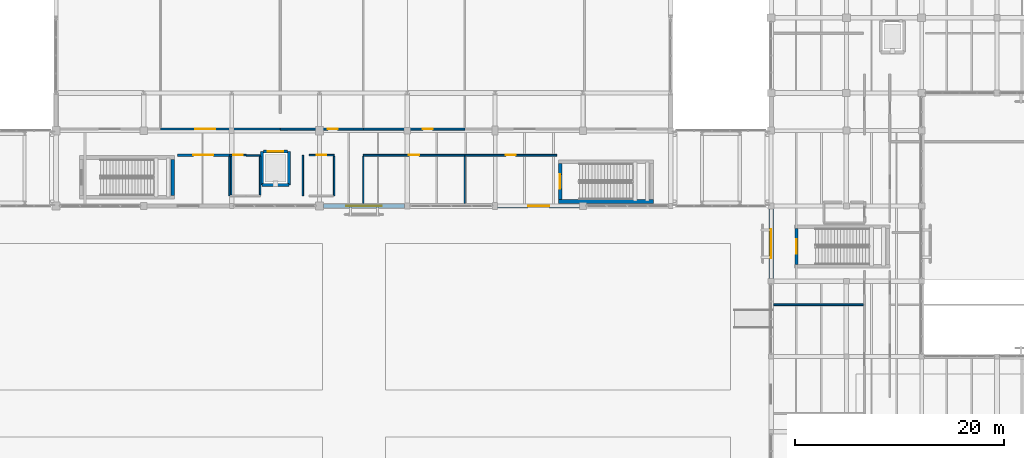
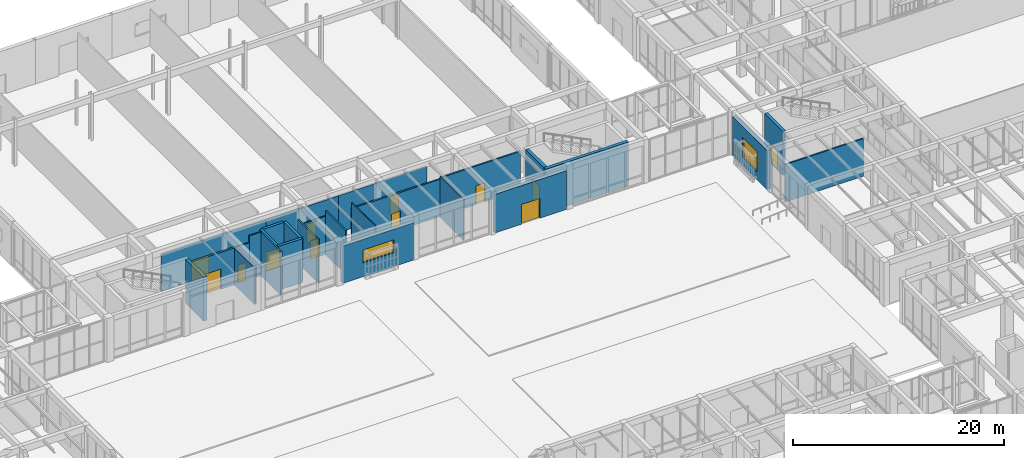
# One storey, part 127 of 169: 28 walls, 12 doors, 2 windows, 14 openings.
"""IFC4 building model written with IfcOpenShell, lengths in metres."""

from ifc_helpers import new_model, si_unit, direction, frame, frame_2d, origin, place, context, subcontext, project, spatial, rectangle, extrude, material, layer, layer_set, type_object, element, fill, save


model = new_model("IFC4")

# Units and contexts
model_context = context("Model", 3, precision=1e-05, world=origin(), true_north=direction((0.0, 1.0)))
body_context = subcontext(model_context, "Body", "Model", "MODEL_VIEW")
ifc_project = project(units=[si_unit("LENGTHUNIT", "METRE"), si_unit("AREAUNIT", "SQUARE_METRE"), si_unit("VOLUMEUNIT", "CUBIC_METRE"), si_unit("PLANEANGLEUNIT", "RADIAN"), si_unit("MASSUNIT", "GRAM", prefix="KILO")], contexts=[model_context])

# Site, building, storey
site_placement = place(None, origin())
site = spatial("IfcSite", under=ifc_project, at=site_placement, CompositionType="ELEMENT")
building_placement = place(site_placement, origin())
building = spatial("IfcBuilding", under=site, at=building_placement, Name="Mazaris Harbour Polytechnic", CompositionType="ELEMENT")
storey_placement = place(building_placement, origin())
storey = spatial("IfcBuildingStorey", under=building, at=storey_placement, Name="L00", CompositionType="ELEMENT", Elevation=0.0)

# Walls
ifc_material_1 = material(Name="Gypsum Board and Mineral Wool")
ifc_layer_1 = layer(ifc_material_1, 0.1201171875, Name="Gypsum Board and Mineral Wool")
ifc_layer_set_1 = layer_set([ifc_layer_1], Name="Gypsum Board and Mineral Wool")
wall_type_1 = type_object("IfcWallType", Name="Acoustic Stud Partition 120", PredefinedType="PARTITIONING", material=ifc_layer_set_1)
wall_1_placement = place(storey_placement, frame((83.39990234375, 75.85009765625, 0.0), z_axis=(0.0, 0.0, 1.0), x_axis=(0.0, 1.0, 0.0)))
element("IfcWall", 1, at=wall_1_placement, inside=storey, type_object=wall_type_1, Name="V1 L00 Partition 29", PredefinedType="PARTITIONING", context=body_context, shape_type="SweptSolid", body=[
    extrude(rectangle(XDim=4.47998046875, YDim=0.1201171875, at=frame_2d((2.239990234375, 0.0))), origin(), (0.0, 0.0, 1.0), 5.080078125),
])
ifc_material_2 = material(Name="Double Gypsum and Mineral Wool")
ifc_layer_2 = layer(ifc_material_2, 0.14990234375, Name="Double Gypsum and Mineral Wool")
ifc_layer_set_2 = layer_set([ifc_layer_2], Name="Double Gypsum and Mineral Wool")
wall_type_2 = type_object("IfcWallType", Name="Classroom Acoustic Partition 150", PredefinedType="PARTITIONING", material=ifc_layer_set_2)
wall_2_placement = place(storey_placement, frame((70.760009765625, 76.632568359375, 0.0), z_axis=(0.0, 0.0, 1.0), x_axis=(0.0, 1.0, 0.0)))
element("IfcWall", 2, at=wall_2_placement, inside=storey, type_object=wall_type_2, Name="V1 L00 Partition 27", PredefinedType="PARTITIONING", context=body_context, shape_type="SweptSolid", body=[
    extrude(rectangle(XDim=3.697509765625, YDim=0.14990234375, at=frame_2d((1.8486328125, 0.0))), origin(), (0.0, 0.0, 1.0), 4.280029296875),
])

# Wall, opening, door
ifc_material_3 = material(Name="Terracotta Block and Plaster", Category="masonry")
ifc_layer_3 = layer(ifc_material_3, 0.179931640625, Name="Terracotta Block and Plaster")
ifc_layer_set_3 = layer_set([ifc_layer_3], Name="Terracotta Block and Plaster")
wall_type_3 = type_object("IfcWallType", Name="Corridor Fire Partition 180", PredefinedType="PARTITIONING", material=ifc_layer_set_3)
wall_3_placement = place(storey_placement, frame((83.39990234375, 80.449951171875, 0.0), z_axis=(0.0, 0.0, 1.0), x_axis=(1.0, 0.0, 0.0)))
wall_3 = element("IfcWall", 3, at=wall_3_placement, inside=storey, type_object=wall_type_3, Name="V1 L00 Partition 28", PredefinedType="PARTITIONING", context=body_context, shape_type="SweptSolid", body=[
    extrude(rectangle(XDim=9.7001953125, YDim=0.179931640625, at=frame_2d((4.85009765625, 0.0))), origin(), (0.0, 0.0, 1.0), 4.330078125),
])
opening_1_placement = place(wall_3_placement, frame((4.360107421875, 0.0, 0.0)))
opening_1 = element("IfcOpeningElement", 4, at=opening_1_placement, cuts=wall_3, Name="Opening ID-08L", PredefinedType="OPENING", context=body_context, shape_type="SweptSolid", body=[
    extrude(rectangle(XDim=0.97998046875, YDim=2.179931640625, at=frame_2d((0.489990234375, 1.08984375))), frame((0.0, 0.099853515625, 0.0), z_axis=(0.0, -1.0, 0.0), x_axis=(1.0, 0.0, 0.0)), (0.0, 0.0, 1.0), 0.199951171875),
])
ifc_material_4 = material(Name="Solid Oak Timber", Category="wood")
door_type_1 = type_object("IfcDoorType", Name="Seminar Room Door LH 980x2180", OperationType="SINGLE_SWING_LEFT", PredefinedType="DOOR", material=ifc_material_4)
door_1_placement = place(opening_1_placement, origin())
door_1 = element("IfcDoor", 5, at=door_1_placement, inside=storey, type_object=door_type_1, Name="ID-0013", OperationType="SINGLE_SWING_LEFT", OverallHeight=2.179931640625, OverallWidth=0.97998046875, PredefinedType="DOOR", context=body_context, shape_type="SweptSolid", body=[
    extrude(rectangle(XDim=0.97998046875, YDim=2.179931640625, at=frame_2d((0.489990234375, 1.08984375))), frame((0.0, 0.02490234375, 0.0), z_axis=(0.0, -1.0, 0.0), x_axis=(1.0, 0.0, 0.0)), (0.0, 0.0, 1.0), 0.050048828125),
])
fill(opening_1, door_1)

wall_4_placement = place(storey_placement, frame((93.10498046875, 80.449951171875, 0.0), z_axis=(0.0, 0.0, 1.0), x_axis=(1.0, 0.0, 0.0)))
wall_4 = element("IfcWall", 6, at=wall_4_placement, inside=storey, type_object=wall_type_3, Name="V1 L00 Partition 31", PredefinedType="PARTITIONING", context=body_context, shape_type="SweptSolid", body=[
    extrude(rectangle(XDim=8.77490234375, YDim=0.179931640625, at=frame_2d((4.387451171875, 0.0))), origin(), (0.0, 0.0, 1.0), 4.47998046875),
])
opening_2_placement = place(wall_4_placement, frame((3.892578125, 0.0, 0.0)))
opening_2 = element("IfcOpeningElement", 7, at=opening_2_placement, cuts=wall_4, Name="Opening ID-08R", PredefinedType="OPENING", context=body_context, shape_type="SweptSolid", body=[
    extrude(rectangle(XDim=0.989990234375, YDim=2.179931640625, at=frame_2d((0.4951171875, 1.08984375))), frame((0.0, 0.099853515625, 0.0), z_axis=(0.0, -1.0, 0.0), x_axis=(1.0, 0.0, 0.0)), (0.0, 0.0, 1.0), 0.199951171875),
])
ifc_material_5 = material(Name="Solid Oak Timber", Category="wood")
door_type_2 = type_object("IfcDoorType", Name="Seminar Room Door RH 990x2180", OperationType="SINGLE_SWING_RIGHT", PredefinedType="DOOR", material=ifc_material_5)
door_2_placement = place(opening_2_placement, origin())
door_2 = element("IfcDoor", 8, at=door_2_placement, inside=storey, type_object=door_type_2, Name="ID-0014", OperationType="SINGLE_SWING_RIGHT", OverallHeight=2.179931640625, OverallWidth=0.989990234375, PredefinedType="DOOR", context=body_context, shape_type="SweptSolid", body=[
    extrude(rectangle(XDim=0.989990234375, YDim=2.179931640625, at=frame_2d((0.4951171875, 1.08984375))), frame((0.0, 0.02490234375, 0.0), z_axis=(0.0, -1.0, 0.0), x_axis=(1.0, 0.0, 0.0)), (0.0, 0.0, 1.0), 0.050048828125),
])
fill(opening_2, door_2)

wall_5_placement = place(storey_placement, frame((75.4541015625, 82.949951171875, 0.0), z_axis=(0.0, 0.0, 1.0), x_axis=(1.0, 0.0, 0.0)))
wall_5 = element("IfcWall", 9, at=wall_5_placement, inside=storey, type_object=wall_type_3, Name="V1 L00 Partition 36", PredefinedType="PARTITIONING", context=body_context, shape_type="SweptSolid", body=[
    extrude(rectangle(XDim=7.94580078125, YDim=0.179931640625, at=frame_2d((3.972900390625, 0.0))), origin(), (0.0, 0.0, 1.0), 4.280029296875),
])
opening_3_placement = place(wall_5_placement, frame((4.521484375, 0.0, 0.0)))
opening_3 = element("IfcOpeningElement", 10, at=opening_3_placement, cuts=wall_5, Name="Opening ID-08R", PredefinedType="OPENING", context=body_context, shape_type="SweptSolid", body=[
    extrude(rectangle(XDim=0.989990234375, YDim=2.179931640625, at=frame_2d((0.4951171875, 1.08984375))), frame((0.0, 0.099853515625, 0.0), z_axis=(0.0, -1.0, 0.0), x_axis=(1.0, 0.0, 0.0)), (0.0, 0.0, 1.0), 0.199951171875),
])
door_3_placement = place(opening_3_placement, origin())
door_3 = element("IfcDoor", 11, at=door_3_placement, inside=storey, type_object=door_type_2, Name="ID-0017", OperationType="SINGLE_SWING_RIGHT", OverallHeight=2.179931640625, OverallWidth=0.989990234375, PredefinedType="DOOR", context=body_context, shape_type="SweptSolid", body=[
    extrude(rectangle(XDim=0.989990234375, YDim=2.179931640625, at=frame_2d((0.4951171875, 1.08984375))), frame((0.0, 0.02490234375, 0.0), z_axis=(0.0, -1.0, 0.0), x_axis=(1.0, 0.0, 0.0)), (0.0, 0.0, 1.0), 0.050048828125),
])
fill(opening_3, door_3)

wall_6_placement = place(storey_placement, frame((83.405029296875, 82.949951171875, 0.0), z_axis=(0.0, 0.0, 1.0), x_axis=(1.0, 0.0, 0.0)))
wall_6 = element("IfcWall", 12, at=wall_6_placement, inside=storey, type_object=wall_type_3, Name="V1 L00 Partition 38", PredefinedType="PARTITIONING", context=body_context, shape_type="SweptSolid", body=[
    extrude(rectangle(XDim=9.695068359375, YDim=0.179931640625, at=frame_2d((4.84765625, 0.0))), origin(), (0.0, 0.0, 1.0), 4.280029296875),
])
opening_4_placement = place(wall_6_placement, frame((5.664794921875, 0.0, 0.0)))
opening_4 = element("IfcOpeningElement", 13, at=opening_4_placement, cuts=wall_6, Name="Opening ID-08L", PredefinedType="OPENING", context=body_context, shape_type="SweptSolid", body=[
    extrude(rectangle(XDim=0.97998046875, YDim=2.179931640625, at=frame_2d((0.489990234375, 1.08984375))), frame((0.0, 0.099853515625, 0.0), z_axis=(0.0, -1.0, 0.0), x_axis=(1.0, 0.0, 0.0)), (0.0, 0.0, 1.0), 0.199951171875),
])
door_4_placement = place(opening_4_placement, origin())
door_4 = element("IfcDoor", 14, at=door_4_placement, inside=storey, type_object=door_type_1, Name="ID-0018", OperationType="SINGLE_SWING_LEFT", OverallHeight=2.179931640625, OverallWidth=0.97998046875, PredefinedType="DOOR", context=body_context, shape_type="SweptSolid", body=[
    extrude(rectangle(XDim=0.97998046875, YDim=2.179931640625, at=frame_2d((0.489990234375, 1.08984375))), frame((0.0, 0.02490234375, 0.0), z_axis=(0.0, -1.0, 0.0), x_axis=(1.0, 0.0, 0.0)), (0.0, 0.0, 1.0), 0.050048828125),
])
fill(opening_4, door_4)

# Wall
ifc_material_6 = material(Name="Fireboard and Mineral Wool")
ifc_layer_4 = layer(ifc_material_6, 0.1650390625, Name="Fireboard and Mineral Wool")
ifc_layer_set_4 = layer_set([ifc_layer_4], Name="Fireboard and Mineral Wool")
wall_type_4 = type_object("IfcWallType", Name="Laboratory Rated Partition 165", PredefinedType="PARTITIONING", material=ifc_layer_set_4)
wall_7_placement = place(storey_placement, frame((122.64990234375, 66.14599609375, 0.0), z_axis=(0.0, 0.0, 1.0), x_axis=(1.0, 0.0, 0.0)))
element("IfcWall", 15, at=wall_7_placement, inside=storey, type_object=wall_type_4, Name="V5 L00 Partition 547", PredefinedType="PARTITIONING", context=body_context, shape_type="SweptSolid", body=[
    extrude(rectangle(XDim=8.580078125, YDim=0.1650390625, at=frame_2d((4.2900390625, 0.0))), origin(), (0.0, 0.0, 1.0), 4.35009765625),
])

# Wall, opening, window
ifc_material_7 = material(Name="Algerian Buff Limestone and Concrete C35/45", Category="masonry")
ifc_layer_5 = layer(ifc_material_7, 0.409912109375, Name="Algerian Buff Limestone and Concrete C35/45")
ifc_layer_set_5 = layer_set([ifc_layer_5], Name="Algerian Buff Limestone and Concrete C35/45")
wall_type_5 = type_object("IfcWallType", Name="Limestone Rusticated Base Wall 410", PredefinedType="STANDARD", material=ifc_layer_set_5)
wall_8_placement = place(storey_placement, frame((87.3330078125, 75.60009765625, 0.0), z_axis=(0.0, 0.0, 1.0), x_axis=(-1.0, 0.0, 0.0)))
wall_8 = element("IfcWall", 16, at=wall_8_placement, inside=storey, type_object=wall_type_5, Name="V1 L00 Exterior Wall 2", PredefinedType="STANDARD", context=body_context, shape_type="SweptSolid", body=[
    extrude(rectangle(XDim=7.76611328125, YDim=0.409912109375, at=frame_2d((3.883056640625, 0.0))), origin(), (0.0, 0.0, 1.0), 4.330078125),
])
opening_5_placement = place(wall_8_placement, frame((2.18310546875, 0.0, 1.60009765625)))
opening_5 = element("IfcOpeningElement", 17, at=opening_5_placement, cuts=wall_8, Name="Opening WN-16", PredefinedType="OPENING", context=body_context, shape_type="SweptSolid", body=[
    extrude(rectangle(XDim=3.39990234375, YDim=1.5, at=frame_2d((1.699951171875, 0.75))), frame((0.0, 0.21484375, 0.0), z_axis=(0.0, -1.0, 0.0), x_axis=(1.0, 0.0, 0.0)), (0.0, 0.0, 1.0), 0.429931640625),
])
ifc_material_8 = material(Name="Thermally Broken Bronze Aluminium and Low-E Glass", Category="aluminium")
window_type_1 = type_object("IfcWindowType", Name="Workshop Clerestory Ribbon 3400x1500", PartitioningType="DOUBLE_PANEL_VERTICAL", PredefinedType="WINDOW", material=ifc_material_8)
window_1_placement = place(opening_5_placement, origin())
window_1 = element("IfcWindow", 18, at=window_1_placement, inside=storey, type_object=window_type_1, Name="WN-0001", OverallHeight=1.5, OverallWidth=3.39990234375, PartitioningType="DOUBLE_PANEL_VERTICAL", PredefinedType="WINDOW", context=body_context, shape_type="SweptSolid", body=[
    extrude(rectangle(XDim=3.39990234375, YDim=1.5, at=frame_2d((1.699951171875, 0.75))), frame((0.0, 0.030029296875, 0.0), z_axis=(0.0, -1.0, 0.0), x_axis=(1.0, 0.0, 0.0)), (0.0, 0.0, 1.0), 0.06005859375),
])
fill(opening_5, window_1)

# Wall, opening, door
wall_9_placement = place(storey_placement, frame((104.0830078125, 75.60009765625, 0.0), z_axis=(0.0, 0.0, 1.0), x_axis=(-1.0, 0.0, 0.0)))
wall_9 = element("IfcWall", 19, at=wall_9_placement, inside=storey, type_object=wall_type_5, Name="V1 L00 Exterior Wall 3", PredefinedType="STANDARD", context=body_context, shape_type="SweptSolid", body=[
    extrude(rectangle(XDim=7.841064453125, YDim=0.409912109375, at=frame_2d((3.92041015625, 0.0))), origin(), (0.0, 0.0, 1.0), 4.47998046875),
])
opening_6_placement = place(wall_9_placement, frame((2.92041015625, 0.0, 0.0)))
opening_6 = element("IfcOpeningElement", 20, at=opening_6_placement, cuts=wall_9, Name="Opening ED-02", PredefinedType="OPENING", context=body_context, shape_type="SweptSolid", body=[
    extrude(rectangle(XDim=2.0, YDim=2.300048828125, at=frame_2d((1.0, 1.14990234375))), frame((0.0, 0.21484375, 0.0), z_axis=(0.0, -1.0, 0.0), x_axis=(1.0, 0.0, 0.0)), (0.0, 0.0, 1.0), 0.429931640625),
])
ifc_material_9 = material(Name="Anodised Bronze Steel and Laminated Safety Glass", Category="steel")
door_type_3 = type_object("IfcDoorType", Name="Cloister Court Double Exit Door 2000x2300", OperationType="DOUBLE_DOOR_SINGLE_SWING", PredefinedType="DOOR", material=ifc_material_9)
door_5_placement = place(opening_6_placement, origin())
door_5 = element("IfcDoor", 21, at=door_5_placement, inside=storey, type_object=door_type_3, Name="EXD-002", OperationType="DOUBLE_DOOR_SINGLE_SWING", OverallHeight=2.300048828125, OverallWidth=2.0, PredefinedType="DOOR", context=body_context, shape_type="SweptSolid", body=[
    extrude(rectangle(XDim=2.0, YDim=2.300048828125, at=frame_2d((1.0, 1.14990234375))), frame((0.0, 0.02490234375, 0.0), z_axis=(0.0, -1.0, 0.0), x_axis=(1.0, 0.0, 0.0)), (0.0, 0.0, 1.0), 0.050048828125),
])
fill(opening_6, door_5)

# Wall, opening, window
wall_10_placement = place(storey_placement, frame((122.39990234375, 68.6669921875, 0.0), z_axis=(0.0, 0.0, 1.0), x_axis=(0.0, 1.0, 0.0)))
wall_10 = element("IfcWall", 22, at=wall_10_placement, inside=storey, type_object=wall_type_5, Name="V5 L00 Exterior Wall 299", PredefinedType="STANDARD", context=body_context, shape_type="SweptSolid", body=[
    extrude(rectangle(XDim=6.64111328125, YDim=0.409912109375, at=frame_2d((3.320556640625, 0.0))), origin(), (0.0, 0.0, 1.0), 4.5),
])
opening_7_placement = place(wall_10_placement, frame((1.92041015625, 0.0, 0.85009765625)))
opening_7 = element("IfcOpeningElement", 23, at=opening_7_placement, cuts=wall_10, Name="Opening WN-09", PredefinedType="OPENING", context=body_context, shape_type="SweptSolid", body=[
    extrude(rectangle(XDim=2.800048828125, YDim=2.39990234375, at=frame_2d((1.39990234375, 1.199951171875))), frame((0.0, 0.21484375, 0.0), z_axis=(0.0, -1.0, 0.0), x_axis=(1.0, 0.0, 0.0)), (0.0, 0.0, 1.0), 0.429931640625),
])
ifc_material_10 = material(Name="Thermally Broken Bronze Aluminium and Low-E Glass", Category="aluminium")
window_type_2 = type_object("IfcWindowType", Name="Studio North Window 2800x2400", PartitioningType="DOUBLE_PANEL_VERTICAL", PredefinedType="WINDOW", material=ifc_material_10)
window_2_placement = place(opening_7_placement, origin())
window_2 = element("IfcWindow", 24, at=window_2_placement, inside=storey, type_object=window_type_2, Name="WN-0355", OverallHeight=2.39990234375, OverallWidth=2.800048828125, PartitioningType="DOUBLE_PANEL_VERTICAL", PredefinedType="WINDOW", context=body_context, shape_type="SweptSolid", body=[
    extrude(rectangle(XDim=2.800048828125, YDim=2.39990234375, at=frame_2d((1.39990234375, 1.199951171875))), frame((0.0, 0.030029296875, 0.0), z_axis=(0.0, -1.0, 0.0), x_axis=(1.0, 0.0, 0.0)), (0.0, 0.0, 1.0), 0.06005859375),
])
fill(opening_7, window_2)

# Wall, opening, door
ifc_material_11 = material(Name="Concrete C40/50", Category="concrete")
ifc_layer_6 = layer(ifc_material_11, 0.324951171875, Name="Concrete C40/50")
ifc_layer_set_6 = layer_set([ifc_layer_6], Name="Concrete C40/50")
wall_type_6 = type_object("IfcWallType", Name="RC Core Shear Wall 325", PredefinedType="SHEAR", material=ifc_layer_set_6)
wall_11_placement = place(storey_placement, frame((124.824951171875, 73.449951171875, 0.0), z_axis=(0.0, 0.0, 1.0), x_axis=(0.0, -1.0, 0.0)))
wall_11 = element("IfcWall", 25, at=wall_11_placement, inside=storey, type_object=wall_type_6, Name="Core ST09 L00 Entrance Shear Wall", PredefinedType="SHEAR", context=body_context, shape_type="SweptSolid", body=[
    extrude(rectangle(XDim=3.449951171875, YDim=0.324951171875, at=frame_2d((1.72509765625, 0.0))), origin(), (0.0, 0.0, 1.0), 5.10009765625),
])
opening_8_placement = place(wall_11_placement, frame((1.034912109375, 0.0, 0.0)))
opening_8 = element("IfcOpeningElement", 26, at=opening_8_placement, cuts=wall_11, Name="Opening SD-01", PredefinedType="OPENING", context=body_context, shape_type="SweptSolid", body=[
    extrude(rectangle(XDim=1.3798828125, YDim=2.199951171875, at=frame_2d((0.68994140625, 1.10009765625))), frame((0.0, 0.17236328125, 0.0), z_axis=(0.0, -1.0, 0.0), x_axis=(1.0, 0.0, 0.0)), (0.0, 0.0, 1.0), 0.344970703125),
])
ifc_material_12 = material(Name="Glulam Timber and Fire Glass", Category="wood")
door_type_4 = type_object("IfcDoorType", Name="Protected Stair Lobby Fire Door 1380x2200", OperationType="DOUBLE_DOOR_SINGLE_SWING", PredefinedType="DOOR", material=ifc_material_12)
door_6_placement = place(opening_8_placement, origin())
door_6 = element("IfcDoor", 27, at=door_6_placement, inside=storey, type_object=door_type_4, Name="SD-043", OperationType="DOUBLE_DOOR_SINGLE_SWING", OverallHeight=2.199951171875, OverallWidth=1.3798828125, PredefinedType="DOOR", context=body_context, shape_type="SweptSolid", body=[
    extrude(rectangle(XDim=1.3798828125, YDim=2.199951171875, at=frame_2d((0.68994140625, 1.10009765625))), frame((0.0, 0.02490234375, 0.0), z_axis=(0.0, -1.0, 0.0), x_axis=(1.0, 0.0, 0.0)), (0.0, 0.0, 1.0), 0.050048828125),
])
fill(opening_8, door_6)

# Walls
ifc_material_13 = material(Name="Concrete C40/50", Category="concrete")
ifc_layer_7 = layer(ifc_material_13, 0.35009765625, Name="Concrete C40/50")
ifc_layer_set_7 = layer_set([ifc_layer_7], Name="Concrete C40/50")
wall_type_7 = type_object("IfcWallType", Name="RC Core Shear Wall 350", PredefinedType="SHEAR", material=ifc_layer_set_7)
wall_12_placement = place(storey_placement, frame((65.175048828125, 76.60009765625, 0.0), z_axis=(0.0, 0.0, 1.0), x_axis=(0.0, 1.0, 0.0)))
element("IfcWall", 28, at=wall_12_placement, inside=storey, type_object=wall_type_7, Name="Core ST01 L00 Shear Wall E", PredefinedType="SHEAR", context=body_context, shape_type="SweptSolid", body=[
    extrude(rectangle(XDim=3.449951171875, YDim=0.35009765625, at=frame_2d((1.72509765625, 0.0))), origin(), (0.0, 0.0, 1.0), 5.080078125),
])
wall_13_placement = place(storey_placement, frame((102.050048828125, 76.02490234375, 0.0), z_axis=(0.0, 0.0, 1.0), x_axis=(1.0, 0.0, 0.0)))
element("IfcWall", 29, at=wall_13_placement, inside=storey, type_object=wall_type_7, Name="Core ST02 L00 Shear Wall S", PredefinedType="SHEAR", context=body_context, shape_type="SweptSolid", body=[
    extrude(rectangle(XDim=9.099853515625, YDim=0.35009765625, at=frame_2d((4.5498046875, 0.0))), origin(), (0.0, 0.0, 1.0), 5.080078125),
])

# Wall, opening, door
wall_14_placement = place(storey_placement, frame((102.22509765625, 79.64990234375, 0.0), z_axis=(0.0, 0.0, 1.0), x_axis=(0.0, -1.0, 0.0)))
wall_14 = element("IfcWall", 30, at=wall_14_placement, inside=storey, type_object=wall_type_7, Name="Core ST02 L00 Entrance Shear Wall", PredefinedType="SHEAR", context=body_context, shape_type="SweptSolid", body=[
    extrude(rectangle(XDim=3.449951171875, YDim=0.35009765625, at=frame_2d((1.72509765625, 0.0))), origin(), (0.0, 0.0, 1.0), 5.080078125),
])
opening_9_placement = place(wall_14_placement, frame((1.034912109375, 0.0, 0.0)))
opening_9 = element("IfcOpeningElement", 31, at=opening_9_placement, cuts=wall_14, Name="Opening SD-01", PredefinedType="OPENING", context=body_context, shape_type="SweptSolid", body=[
    extrude(rectangle(XDim=1.3798828125, YDim=2.199951171875, at=frame_2d((0.68994140625, 1.10009765625))), frame((0.0, 0.18505859375, 0.0), z_axis=(0.0, -1.0, 0.0), x_axis=(1.0, 0.0, 0.0)), (0.0, 0.0, 1.0), 0.3701171875),
])
door_7_placement = place(opening_9_placement, origin())
door_7 = element("IfcDoor", 32, at=door_7_placement, inside=storey, type_object=door_type_4, Name="SD-006", OperationType="DOUBLE_DOOR_SINGLE_SWING", OverallHeight=2.199951171875, OverallWidth=1.3798828125, PredefinedType="DOOR", context=body_context, shape_type="SweptSolid", body=[
    extrude(rectangle(XDim=1.3798828125, YDim=2.199951171875, at=frame_2d((0.68994140625, 1.10009765625))), frame((0.0, 0.02490234375, 0.0), z_axis=(0.0, -1.0, 0.0), x_axis=(1.0, 0.0, 0.0)), (0.0, 0.0, 1.0), 0.050048828125),
])
fill(opening_9, door_7)

# Walls
ifc_material_14 = material(Name="Concrete C40/50", Category="concrete")
ifc_layer_8 = layer(ifc_material_14, 0.300048828125, Name="Concrete C40/50")
ifc_layer_set_8 = layer_set([ifc_layer_8], Name="Concrete C40/50")
wall_type_8 = type_object("IfcWallType", Name="RC Lift Shaft Wall 300", PredefinedType="SHEAR", material=ifc_layer_set_8)
wall_15_placement = place(storey_placement, frame((73.699951171875, 77.60009765625, 0.0), z_axis=(0.0, 0.0, 1.0), x_axis=(1.0, 0.0, 0.0)))
element("IfcWall", 33, at=wall_15_placement, inside=storey, type_object=wall_type_8, Name="Lift LG-01 L00 South Shaft Wall", PredefinedType="SHEAR", context=body_context, shape_type="SweptSolid", body=[
    extrude(rectangle(XDim=2.60009765625, YDim=0.300048828125, at=frame_2d((1.300048828125, 0.0))), origin(), (0.0, 0.0, 1.0), 5.080078125),
])
for number, where, z_axis, x_axis, name in (
    (34, (73.699951171875, 80.800048828125, 0.0), (0.0, 0.0, 1.0), (0.0, -1.0, 0.0), "Lift LG-01 L00 West Shaft Wall"),
    (35, (76.300048828125, 77.60009765625, 0.0), (0.0, 0.0, 1.0), (0.0, 1.0, 0.0), "Lift LG-01 L00 East Shaft Wall"),
):
    element("IfcWall", number, at=place(storey_placement, frame(where, z_axis=z_axis, x_axis=x_axis)), inside=storey, type_object=wall_type_8, Name=name, PredefinedType="SHEAR", context=body_context, shape_type="SweptSolid", body=[
        extrude(rectangle(XDim=3.199951171875, YDim=0.300048828125, at=frame_2d((1.60009765625, 0.0))), origin(), (0.0, 0.0, 1.0), 5.080078125),
    ])

# Wall, opening, door
wall_16_placement = place(storey_placement, frame((73.840087890625, 80.800048828125, 0.0), z_axis=(0.0, 0.0, 1.0), x_axis=(1.0, 0.0, 0.0)))
wall_16 = element("IfcWall", 36, at=wall_16_placement, inside=storey, type_object=wall_type_8, Name="Lift LG-01 L00 Front Shaft Wall", PredefinedType="SHEAR", context=body_context, shape_type="SweptSolid", body=[
    extrude(rectangle(XDim=2.31982421875, YDim=0.300048828125, at=frame_2d((1.159912109375, 0.0))), origin(), (0.0, 0.0, 1.0), 5.080078125),
])
opening_10_placement = place(wall_16_placement, frame((0.409912109375, 0.0, 0.0)))
opening_10 = element("IfcOpeningElement", 37, at=opening_10_placement, cuts=wall_16, Name="Opening LD-03", PredefinedType="OPENING", context=body_context, shape_type="SweptSolid", body=[
    extrude(rectangle(XDim=1.5, YDim=2.199951171875, at=frame_2d((0.75, 1.10009765625))), frame((0.0, 0.159912109375, 0.0), z_axis=(0.0, -1.0, 0.0), x_axis=(1.0, 0.0, 0.0)), (0.0, 0.0, 1.0), 0.320068359375),
])
ifc_material_15 = material(Name="Stainless Steel S355", Category="steel")
door_type_5 = type_object("IfcDoorType", Name="Sliding Goods Lift Landing Door 1500x2200", OperationType="SLIDING_TO_LEFT", PredefinedType="DOOR", material=ifc_material_15)
door_8_placement = place(opening_10_placement, origin())
door_8 = element("IfcDoor", 38, at=door_8_placement, inside=storey, type_object=door_type_5, Name="LD-037", OperationType="SLIDING_TO_LEFT", OverallHeight=2.199951171875, OverallWidth=1.5, PredefinedType="DOOR", context=body_context, shape_type="SweptSolid", body=[
    extrude(rectangle(XDim=1.5, YDim=2.199951171875, at=frame_2d((0.75, 1.10009765625))), frame((0.0, 0.02490234375, 0.0), z_axis=(0.0, -1.0, 0.0), x_axis=(1.0, 0.0, 0.0)), (0.0, 0.0, 1.0), 0.050048828125),
])
fill(opening_10, door_8)

ifc_material_16 = material(Name="Moisture-Resistant Gypsum and Steel Stud", Category="steel")
ifc_layer_9 = layer(ifc_material_16, 0.14501953125, Name="Moisture-Resistant Gypsum and Steel Stud")
ifc_layer_set_9 = layer_set([ifc_layer_9], Name="Moisture-Resistant Gypsum and Steel Stud")
wall_type_9 = type_object("IfcWallType", Name="Sanitary Plumbing Wall 145", PredefinedType="PLUMBINGWALL", material=ifc_layer_set_9)
wall_17_placement = place(storey_placement, frame((70.60009765625, 80.449951171875, 0.0), z_axis=(0.0, 0.0, 1.0), x_axis=(1.0, 0.0, 0.0)))
wall_17 = element("IfcWall", 39, at=wall_17_placement, inside=storey, type_object=wall_type_9, Name="V1 L00 Partition 20", PredefinedType="PLUMBINGWALL", context=body_context, shape_type="SweptSolid", body=[
    extrude(rectangle(XDim=1.594970703125, YDim=0.14501953125, at=frame_2d((0.79736328125, 0.0))), origin(), (0.0, 0.0, 1.0), 4.280029296875),
])
opening_11_placement = place(wall_17_placement, frame((0.347412109375, 0.0, 0.0)))
opening_11 = element("IfcOpeningElement", 40, at=opening_11_placement, cuts=wall_17, Name="Opening ID-07R", PredefinedType="OPENING", context=body_context, shape_type="SweptSolid", body=[
    extrude(rectangle(XDim=0.89990234375, YDim=2.10009765625, at=frame_2d((0.449951171875, 1.050048828125))), frame((0.0, 0.08251953125, 0.0), z_axis=(0.0, -1.0, 0.0), x_axis=(1.0, 0.0, 0.0)), (0.0, 0.0, 1.0), 0.1650390625),
])
ifc_material_17 = material(Name="Moisture-Resistant Laminate Timber", Category="wood")
door_type_6 = type_object("IfcDoorType", Name="Sanitary Room Door RH 900x2100", OperationType="SINGLE_SWING_RIGHT", PredefinedType="DOOR", material=ifc_material_17)
door_9_placement = place(opening_11_placement, origin())
door_9 = element("IfcDoor", 41, at=door_9_placement, inside=storey, type_object=door_type_6, Name="ID-0010", OperationType="SINGLE_SWING_RIGHT", OverallHeight=2.10009765625, OverallWidth=0.89990234375, PredefinedType="DOOR", context=body_context, shape_type="SweptSolid", body=[
    extrude(rectangle(XDim=0.89990234375, YDim=2.10009765625, at=frame_2d((0.449951171875, 1.050048828125))), frame((0.0, 0.02490234375, 0.0), z_axis=(0.0, -1.0, 0.0), x_axis=(1.0, 0.0, 0.0)), (0.0, 0.0, 1.0), 0.050048828125),
])
fill(opening_11, door_9)

# Wall
wall_18_placement = place(storey_placement, frame((70.60009765625, 76.550048828125, 0.0), z_axis=(0.0, 0.0, 1.0), x_axis=(0.0, 1.0, 0.0)))
element("IfcWall", 42, at=wall_18_placement, inside=storey, type_object=wall_type_9, Name="V1 L00 Partition 21", PredefinedType="PLUMBINGWALL", context=body_context, shape_type="SweptSolid", body=[
    extrude(rectangle(XDim=3.780029296875, YDim=0.14501953125, at=frame_2d((1.89013671875, 0.0))), origin(), (0.0, 0.0, 1.0), 4.280029296875),
])

# Wall, opening, door
wall_19_placement = place(storey_placement, frame((78.205078125, 80.449951171875, 0.0), z_axis=(0.0, 0.0, 1.0), x_axis=(1.0, 0.0, 0.0)))
wall_19 = element("IfcWall", 43, at=wall_19_placement, inside=storey, type_object=wall_type_9, Name="V1 L00 Partition 23", PredefinedType="PLUMBINGWALL", context=body_context, shape_type="SweptSolid", body=[
    extrude(rectangle(XDim=2.39501953125, YDim=0.14501953125, at=frame_2d((1.197509765625, 0.0))), origin(), (0.0, 0.0, 1.0), 4.429931640625),
])
opening_12_placement = place(wall_19_placement, frame((0.737548828125, 0.0, 0.0)))
opening_12 = element("IfcOpeningElement", 44, at=opening_12_placement, cuts=wall_19, Name="Opening ID-07L", PredefinedType="OPENING", context=body_context, shape_type="SweptSolid", body=[
    extrude(rectangle(XDim=0.919921875, YDim=2.10009765625, at=frame_2d((0.4599609375, 1.050048828125))), frame((0.0, 0.08251953125, 0.0), z_axis=(0.0, -1.0, 0.0), x_axis=(1.0, 0.0, 0.0)), (0.0, 0.0, 1.0), 0.1650390625),
])
ifc_material_18 = material(Name="Moisture-Resistant Laminate Timber", Category="wood")
door_type_7 = type_object("IfcDoorType", Name="Accessible Toilet Door LH 920x2100", OperationType="SINGLE_SWING_LEFT", PredefinedType="DOOR", material=ifc_material_18)
door_10_placement = place(opening_12_placement, origin())
door_10 = element("IfcDoor", 45, at=door_10_placement, inside=storey, type_object=door_type_7, Name="ID-0011", OperationType="SINGLE_SWING_LEFT", OverallHeight=2.10009765625, OverallWidth=0.919921875, PredefinedType="DOOR", context=body_context, shape_type="SweptSolid", body=[
    extrude(rectangle(XDim=0.919921875, YDim=2.10009765625, at=frame_2d((0.4599609375, 1.050048828125))), frame((0.0, 0.02490234375, 0.0), z_axis=(0.0, -1.0, 0.0), x_axis=(1.0, 0.0, 0.0)), (0.0, 0.0, 1.0), 0.050048828125),
])
fill(opening_12, door_10)

# Walls
wall_20_placement = place(storey_placement, frame((80.60009765625, 76.550048828125, 0.0), z_axis=(0.0, 0.0, 1.0), x_axis=(0.0, 1.0, 0.0)))
element("IfcWall", 46, at=wall_20_placement, inside=storey, type_object=wall_type_9, Name="V1 L00 Partition 24", PredefinedType="PLUMBINGWALL", context=body_context, shape_type="SweptSolid", body=[
    extrude(rectangle(XDim=3.780029296875, YDim=0.14501953125, at=frame_2d((1.89013671875, 0.0))), origin(), (0.0, 0.0, 1.0), 5.080078125),
])
wall_21_placement = place(storey_placement, frame((72.195068359375, 80.445068359375, 0.0), z_axis=(0.0, 0.0, 1.0), x_axis=(1.0, 0.0, 0.0)))
element("IfcWall", 47, at=wall_21_placement, inside=storey, type_object=wall_type_9, Name="V1 L00 Sanitary Partition 696", PredefinedType="PLUMBINGWALL", context=body_context, shape_type="SweptSolid", body=[
    extrude(rectangle(XDim=1.329833984375, YDim=0.14501953125, at=frame_2d((0.6650390625, 0.0))), origin(), (0.0, 0.0, 1.0), 5.080078125),
])
wall_22_placement = place(storey_placement, frame((73.52490234375, 76.637451171875, 0.0), z_axis=(0.0, 0.0, 1.0), x_axis=(0.0, 1.0, 0.0)))
element("IfcWall", 48, at=wall_22_placement, inside=storey, type_object=wall_type_9, Name="V1 L00 Sanitary Partition 697", PredefinedType="PLUMBINGWALL", context=body_context, shape_type="SweptSolid", body=[
    extrude(rectangle(XDim=3.72509765625, YDim=0.14501953125, at=frame_2d((1.862548828125, 0.0))), origin(), (0.0, 0.0, 1.0), 5.080078125),
])
wall_23_placement = place(storey_placement, frame((77.60498046875, 76.554931640625, 0.0), z_axis=(0.0, 0.0, 1.0), x_axis=(0.0, 1.0, 0.0)))
element("IfcWall", 49, at=wall_23_placement, inside=storey, type_object=wall_type_9, Name="V1 L00 Sanitary Partition 698", PredefinedType="PLUMBINGWALL", context=body_context, shape_type="SweptSolid", body=[
    extrude(rectangle(XDim=3.89013671875, YDim=0.14501953125, at=frame_2d((1.945068359375, 0.0))), origin(), (0.0, 0.0, 1.0), 5.080078125),
])
ifc_material_19 = material(Name="Gypsum Board and Mineral Wool")
ifc_layer_10 = layer(ifc_material_19, 0.135009765625, Name="Gypsum Board and Mineral Wool")
ifc_layer_set_10 = layer_set([ifc_layer_10], Name="Gypsum Board and Mineral Wool")
wall_type_10 = type_object("IfcWallType", Name="Studio Partition Wall 135", PredefinedType="PARTITIONING", material=ifc_layer_set_10)
wall_24_placement = place(storey_placement, frame((93.10009765625, 75.85009765625, 0.0), z_axis=(0.0, 0.0, 1.0), x_axis=(0.0, 1.0, 0.0)))
element("IfcWall", 50, at=wall_24_placement, inside=storey, type_object=wall_type_10, Name="V1 L00 Partition 30", PredefinedType="PARTITIONING", context=body_context, shape_type="SweptSolid", body=[
    extrude(rectangle(XDim=4.47998046875, YDim=0.135009765625, at=frame_2d((2.239990234375, 0.0))), origin(), (0.0, 0.0, 1.0), 4.719970703125),
])

# Wall, opening, door
ifc_material_20 = material(Name="Concrete Masonry C30/37", Category="masonry")
ifc_layer_11 = layer(ifc_material_20, 0.2099609375, Name="Concrete Masonry C30/37")
ifc_layer_set_11 = layer_set([ifc_layer_11], Name="Concrete Masonry C30/37")
wall_type_11 = type_object("IfcWallType", Name="Workshop Compartment Wall 210", PredefinedType="STANDARD", material=ifc_layer_set_11)
wall_25_placement = place(storey_placement, frame((65.60498046875, 80.449951171875, 0.0), z_axis=(0.0, 0.0, 1.0), x_axis=(1.0, 0.0, 0.0)))
wall_25 = element("IfcWall", 51, at=wall_25_placement, inside=storey, type_object=wall_type_11, Name="V1 L00 Partition 26", PredefinedType="STANDARD", context=body_context, shape_type="SweptSolid", body=[
    extrude(rectangle(XDim=4.989990234375, YDim=0.2099609375, at=frame_2d((2.4951171875, 0.0))), origin(), (0.0, 0.0, 1.0), 4.280029296875),
])
opening_13_placement = place(wall_25_placement, frame((1.544921875, 0.0, 0.0)))
opening_13 = element("IfcOpeningElement", 52, at=opening_13_placement, cuts=wall_25, Name="Opening ID-05D", PredefinedType="OPENING", context=body_context, shape_type="SweptSolid", body=[
    extrude(rectangle(XDim=1.89990234375, YDim=2.35009765625, at=frame_2d((0.949951171875, 1.175048828125))), frame((0.0, 0.114990234375, 0.0), z_axis=(0.0, -1.0, 0.0), x_axis=(1.0, 0.0, 0.0)), (0.0, 0.0, 1.0), 0.22998046875),
])
ifc_material_21 = material(Name="Galvanised Steel S355", Category="steel")
door_type_8 = type_object("IfcDoorType", Name="Workshop Heavy Double Door 1900x2350", OperationType="DOUBLE_DOOR_SINGLE_SWING", PredefinedType="DOOR", material=ifc_material_21)
door_11_placement = place(opening_13_placement, origin())
door_11 = element("IfcDoor", 53, at=door_11_placement, inside=storey, type_object=door_type_8, Name="ID-0012", OperationType="DOUBLE_DOOR_SINGLE_SWING", OverallHeight=2.35009765625, OverallWidth=1.89990234375, PredefinedType="DOOR", context=body_context, shape_type="SweptSolid", body=[
    extrude(rectangle(XDim=1.89990234375, YDim=2.35009765625, at=frame_2d((0.949951171875, 1.175048828125))), frame((0.0, 0.02490234375, 0.0), z_axis=(0.0, -1.0, 0.0), x_axis=(1.0, 0.0, 0.0)), (0.0, 0.0, 1.0), 0.050048828125),
])
fill(opening_13, door_11)

wall_26_placement = place(storey_placement, frame((64.0048828125, 82.949951171875, 0.0), z_axis=(0.0, 0.0, 1.0), x_axis=(1.0, 0.0, 0.0)))
wall_26 = element("IfcWall", 54, at=wall_26_placement, inside=storey, type_object=wall_type_11, Name="V1 L00 Partition 34", PredefinedType="STANDARD", context=body_context, shape_type="SweptSolid", body=[
    extrude(rectangle(XDim=11.444091796875, YDim=0.2099609375, at=frame_2d((5.72216796875, 0.0))), origin(), (0.0, 0.0, 1.0), 4.280029296875),
])
opening_14_placement = place(wall_26_placement, frame((3.34033203125, 0.0, 0.0)))
opening_14 = element("IfcOpeningElement", 55, at=opening_14_placement, cuts=wall_26, Name="Opening ID-05D", PredefinedType="OPENING", context=body_context, shape_type="SweptSolid", body=[
    extrude(rectangle(XDim=1.89990234375, YDim=2.35009765625, at=frame_2d((0.949951171875, 1.175048828125))), frame((0.0, 0.114990234375, 0.0), z_axis=(0.0, -1.0, 0.0), x_axis=(1.0, 0.0, 0.0)), (0.0, 0.0, 1.0), 0.22998046875),
])
door_12_placement = place(opening_14_placement, origin())
door_12 = element("IfcDoor", 56, at=door_12_placement, inside=storey, type_object=door_type_8, Name="ID-0016", OperationType="DOUBLE_DOOR_SINGLE_SWING", OverallHeight=2.35009765625, OverallWidth=1.89990234375, PredefinedType="DOOR", context=body_context, shape_type="SweptSolid", body=[
    extrude(rectangle(XDim=1.89990234375, YDim=2.35009765625, at=frame_2d((0.949951171875, 1.175048828125))), frame((0.0, 0.02490234375, 0.0), z_axis=(0.0, -1.0, 0.0), x_axis=(1.0, 0.0, 0.0)), (0.0, 0.0, 1.0), 0.050048828125),
])
fill(opening_14, door_12)

save(model, "model.ifc")
